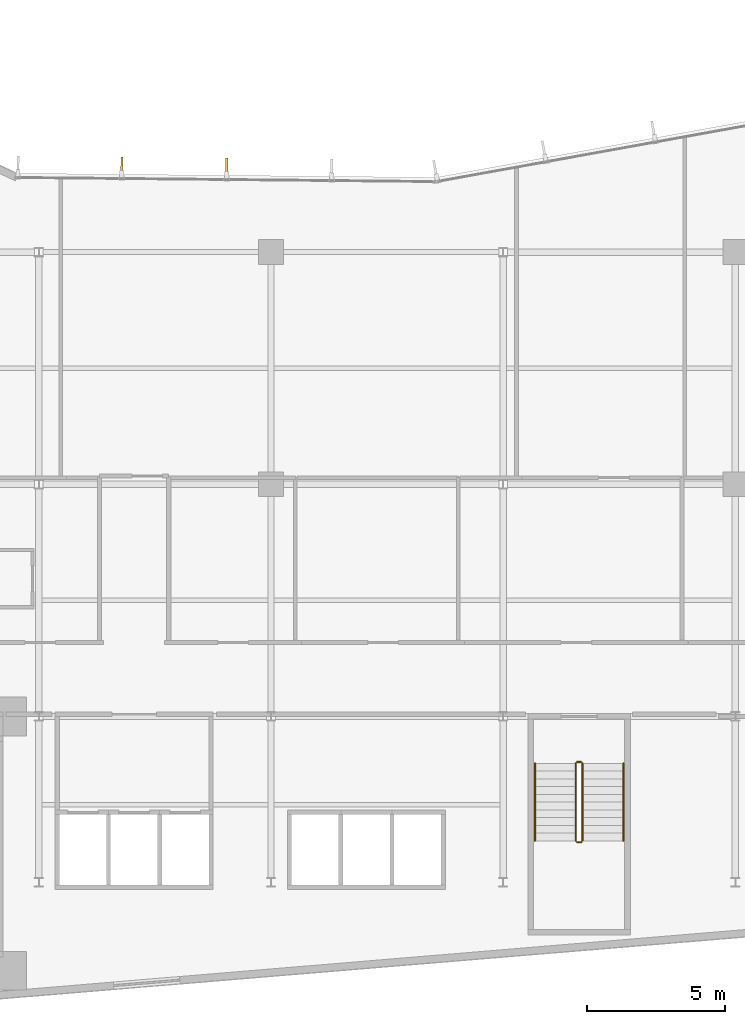
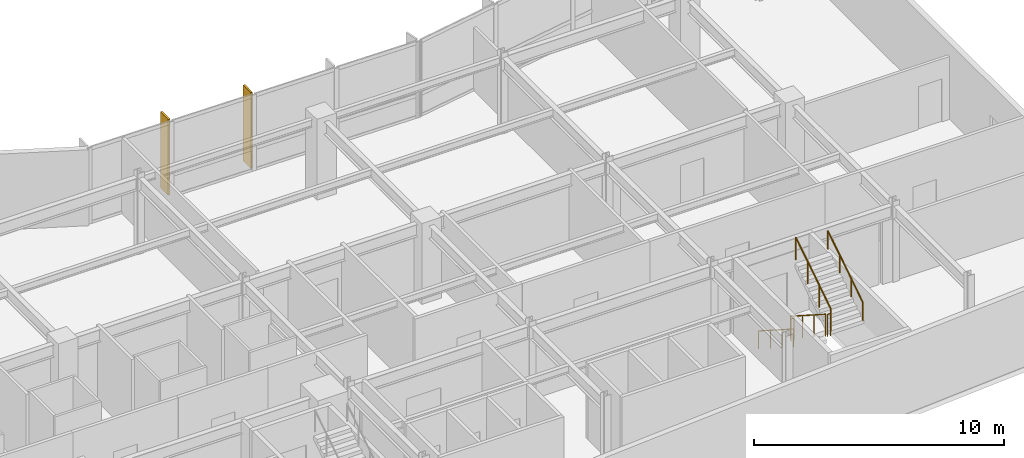
# One storey, part 15 of 18: 6 railings, 2 shading devices.
"""IFC4 building model written with IfcOpenShell, lengths in metres."""

from ifc_helpers import new_model, si_unit, direction, frame, origin, origin_2d, place, context, subcontext, project, spatial, rectangle, circle, extrude, material, layer, layer_set, type_object, element, save


model = new_model("IFC4")

# Units and contexts
model_context = context("Model", 3, precision=1e-05, world=origin(), true_north=direction((0.0, 1.0)))
body_context = subcontext(model_context, "Body", "Model", "MODEL_VIEW")
ifc_project = project(units=[si_unit("LENGTHUNIT", "METRE"), si_unit("AREAUNIT", "SQUARE_METRE"), si_unit("VOLUMEUNIT", "CUBIC_METRE"), si_unit("PLANEANGLEUNIT", "RADIAN"), si_unit("MASSUNIT", "GRAM", prefix="KILO")], contexts=[model_context])

# Site, building, storey
site_placement = place(None, origin())
site = spatial("IfcSite", under=ifc_project, at=site_placement, CompositionType="ELEMENT")
building_placement = place(site_placement, origin())
building = spatial("IfcBuilding", under=site, at=building_placement, Name="Varnakote Quay Hospital", CompositionType="ELEMENT")
storey_placement = place(building_placement, frame((0.0, 0.0, 69.89990234375)))
storey = spatial("IfcBuildingStorey", under=building, at=storey_placement, Name="L17", CompositionType="ELEMENT", Elevation=69.89990234375)

# Railings
ifc_material_1 = material(Name="Brushed stainless steel balustrade", Category="steel")
railing_type_1 = type_object("IfcRailingType", Name="RLG-STAIR-GUARD-1150", PredefinedType="GUARDRAIL", material=ifc_material_1)
railing_1_placement = place(storey_placement, frame((44.6298828125, 10.300048828125, 0.1796875)))
element("IfcRailing", 1, at=railing_1_placement, inside=storey, type_object=railing_type_1, Name="L17 ST-03 stair guard 1", PredefinedType="GUARDRAIL", context=body_context, shape_type="SweptSolid", body=[
    extrude(circle(Radius=0.02392578125, at=origin_2d()), frame((0.0, 0.0, 1.076171875), z_axis=(0.0, -0.841809871826, 0.539774156196), x_axis=(1.0, 0.0, 0.0)), (0.0, 0.0, 1.0), 3.326171875),
    extrude(circle(Radius=0.02099609375, at=origin_2d()), origin(), (0.0, 0.0, 1.0), 1.052001953125),
    extrude(circle(Radius=0.02099609375, at=origin_2d()), frame((0.0, -0.933349609375, 0.598388671875)), (0.0, 0.0, 1.0), 1.052001953125),
    extrude(circle(Radius=0.02099609375, at=origin_2d()), frame((0.0, -1.86669921875, 1.197021484375)), (0.0, 0.0, 1.0), 1.052001953125),
    extrude(circle(Radius=0.02099609375, at=origin_2d()), frame((0.0, -2.800048828125, 1.79541015625)), (0.0, 0.0, 1.0), 1.052001953125),
])
railing_2_placement = place(storey_placement, frame((44.679931640625, 7.449951171875, 1.97509765625)))
element("IfcRailing", 2, at=railing_2_placement, inside=storey, type_object=railing_type_1, Name="L17 ST-03 stair guard 2", PredefinedType="GUARDRAIL", context=body_context, shape_type="SweptSolid", body=[
    extrude(circle(Radius=0.02392578125, at=origin_2d()), frame((0.0, 0.0, 1.076171875), z_axis=(1.0, 0.0, 0.0), x_axis=(0.0, 1.0, 0.0)), (0.0, 0.0, 1.0), 0.14013671875),
    extrude(circle(Radius=0.02099609375, at=origin_2d()), origin(), (0.0, 0.0, 1.0), 1.052001953125),
    extrude(circle(Radius=0.02099609375, at=origin_2d()), frame((0.14013671875, 0.0, 0.0)), (0.0, 0.0, 1.0), 1.052001953125),
])
railing_3_placement = place(storey_placement, frame((44.8701171875, 7.5, 2.154541015625)))
element("IfcRailing", 3, at=railing_3_placement, inside=storey, type_object=railing_type_1, Name="L17 ST-03 stair guard 3", PredefinedType="GUARDRAIL", context=body_context, shape_type="SweptSolid", body=[
    extrude(circle(Radius=0.02392578125, at=origin_2d()), frame((0.0, 0.0, 1.076171875), z_axis=(0.0, 0.841776520102, 0.539826166654), x_axis=(-1.0, 0.0, 0.0)), (0.0, 0.0, 1.0), 3.326416015625),
    extrude(circle(Radius=0.02099609375, at=origin_2d()), origin(), (0.0, 0.0, 1.0), 1.052001953125),
    extrude(circle(Radius=0.02099609375, at=origin_2d()), frame((0.0, 0.933349609375, 0.5986328125)), (0.0, 0.0, 1.0), 1.052001953125),
    extrude(circle(Radius=0.02099609375, at=origin_2d()), frame((0.0, 1.86669921875, 1.197021484375)), (0.0, 0.0, 1.0), 1.052001953125),
    extrude(circle(Radius=0.02099609375, at=origin_2d()), frame((0.0, 2.800048828125, 1.795654296875)), (0.0, 0.0, 1.0), 1.052001953125),
])
railing_4_placement = place(storey_placement, frame((44.679931640625, 10.35009765625, 0.0)))
element("IfcRailing", 4, at=railing_4_placement, inside=storey, type_object=railing_type_1, Name="L17 ST-03 stair guard 4", PredefinedType="GUARDRAIL", context=body_context, shape_type="SweptSolid", body=[
    extrude(circle(Radius=0.02392578125, at=origin_2d()), frame((0.0, 0.0, 1.076171875), z_axis=(1.0, 0.0, 0.0), x_axis=(0.0, 1.0, 0.0)), (0.0, 0.0, 1.0), 0.14013671875),
    extrude(circle(Radius=0.02099609375, at=origin_2d()), origin(), (0.0, 0.0, 1.0), 1.052001953125),
    extrude(circle(Radius=0.02099609375, at=origin_2d()), frame((0.14013671875, 0.0, 0.0)), (0.0, 0.0, 1.0), 1.052001953125),
])
ifc_material_2 = material(Name="Brushed stainless steel handrail", Category="steel")
railing_type_2 = type_object("IfcRailingType", Name="RLG-STAIR-HND-920", PredefinedType="HANDRAIL", material=ifc_material_2)
railing_5_placement = place(storey_placement, frame((43.14990234375, 10.300048828125, 0.1796875)))
element("IfcRailing", 5, at=railing_5_placement, inside=storey, type_object=railing_type_2, Name="L17 ST-03 stair handrail 1", PredefinedType="HANDRAIL", context=body_context, shape_type="SweptSolid", body=[
    extrude(circle(Radius=0.02392578125, at=origin_2d()), frame((0.0, 0.0, 0.8759765625), z_axis=(0.0, -0.841809871826, 0.539774156196), x_axis=(1.0, 0.0, 0.0)), (0.0, 0.0, 1.0), 3.326171875),
    extrude(circle(Radius=0.02099609375, at=origin_2d()), origin(), (0.0, 0.0, 1.0), 0.851806640625),
    extrude(circle(Radius=0.02099609375, at=origin_2d()), frame((0.0, -0.933349609375, 0.598388671875)), (0.0, 0.0, 1.0), 0.851806640625),
    extrude(circle(Radius=0.02099609375, at=origin_2d()), frame((0.0, -1.86669921875, 1.197021484375)), (0.0, 0.0, 1.0), 0.851806640625),
    extrude(circle(Radius=0.02099609375, at=origin_2d()), frame((0.0, -2.800048828125, 1.79541015625)), (0.0, 0.0, 1.0), 0.851806640625),
])
railing_6_placement = place(storey_placement, frame((46.35009765625, 7.5, 2.154541015625)))
element("IfcRailing", 6, at=railing_6_placement, inside=storey, type_object=railing_type_2, Name="L17 ST-03 stair handrail 2", PredefinedType="HANDRAIL", context=body_context, shape_type="SweptSolid", body=[
    extrude(circle(Radius=0.02392578125, at=origin_2d()), frame((0.0, 0.0, 0.8759765625), z_axis=(0.0, 0.841776520102, 0.539826166654), x_axis=(-1.0, 0.0, 0.0)), (0.0, 0.0, 1.0), 3.326416015625),
    extrude(circle(Radius=0.02099609375, at=origin_2d()), origin(), (0.0, 0.0, 1.0), 0.851806640625),
    extrude(circle(Radius=0.02099609375, at=origin_2d()), frame((0.0, 0.933349609375, 0.5986328125)), (0.0, 0.0, 1.0), 0.851806640625),
    extrude(circle(Radius=0.02099609375, at=origin_2d()), frame((0.0, 1.86669921875, 1.197021484375)), (0.0, 0.0, 1.0), 0.851806640625),
    extrude(circle(Radius=0.02099609375, at=origin_2d()), frame((0.0, 2.800048828125, 1.795654296875)), (0.0, 0.0, 1.0), 0.851806640625),
])

# Shading devices
ifc_material_3 = material(Name="Anodised aluminium 6063-T6 Bronze", Category="aluminium")
ifc_layer = layer(ifc_material_3, 0.0849609375)
ifc_layer_set = layer_set([ifc_layer], Name="Anodised aluminium 6063-T6 Bronze")
shading_device_type = type_object("IfcShadingDeviceType", Name="SHD-BRONZE-FIN-620", PredefinedType="USERDEFINED", material=ifc_layer_set)
for number, where, z_axis, x_axis, name in (
    (7, (32.003173828125, 31.88818359375, 0.0), (0.0, 0.0, 1.0), (-0.009773688199, -0.999952236369, 0.0), "L17 Anodised Bronze Vertical Shading FIN"),
    (8, (28.207763671875, 31.92529296875, 0.0), (0.0, 0.0, 1.0), (-0.009773688199, -0.999952236369, 0.0), "L17 Anodised Bronze Vertical Shading FIN"),
):
    element("IfcShadingDevice", number, at=place(storey_placement, frame(where, z_axis=z_axis, x_axis=x_axis)), inside=storey, type_object=shading_device_type, Name=name, ObjectType="FIN", PredefinedType="USERDEFINED", context=body_context, shape_type="SweptSolid", body=[
        extrude(rectangle(XDim=0.6201171875, YDim=0.0849609375, at=origin_2d()), origin(), (0.0, 0.0, 1.0), 3.7099609375),
    ])

save(model, "model.ifc")
